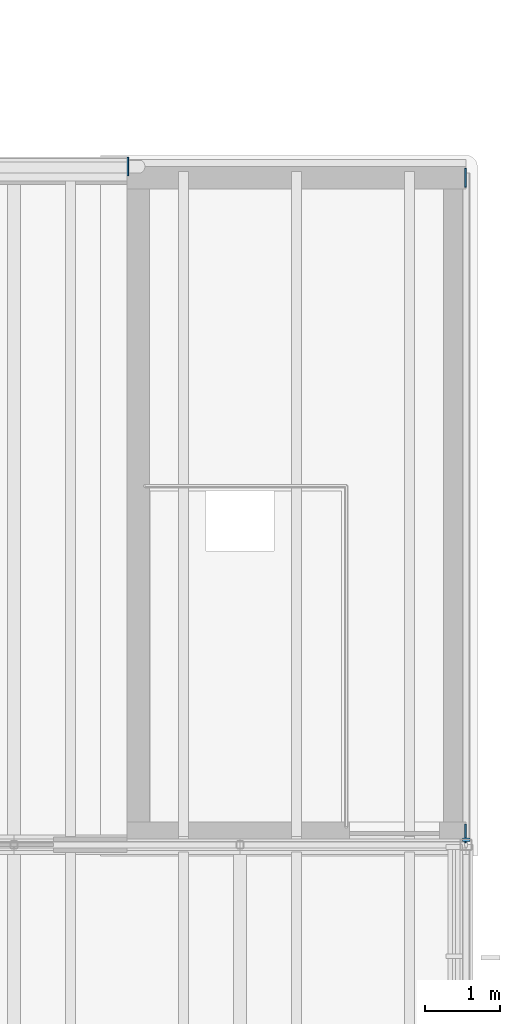
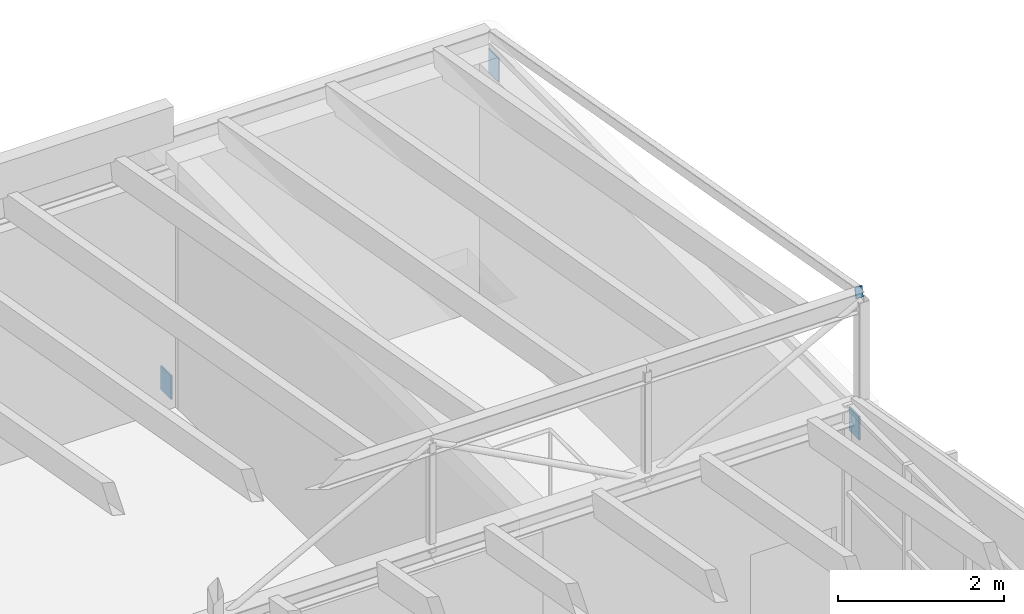
# One storey, part 40 of 44: 4 discrete accessories.
"""IFC4 building model written with IfcOpenShell, lengths in metres."""

from ifc_helpers import new_model, si_unit, direction, frame, origin, origin_2d, place, context, subcontext, project, spatial, rectangle, extrude, element, save


model = new_model("IFC4")

# Units and contexts
model_context = context("Model", 3, precision=1e-05, world=origin(), true_north=direction((0.0, 1.0)))
body_context = subcontext(model_context, "Body", "Model", "MODEL_VIEW")
ifc_project = project(units=[si_unit("LENGTHUNIT", "METRE"), si_unit("AREAUNIT", "SQUARE_METRE"), si_unit("VOLUMEUNIT", "CUBIC_METRE"), si_unit("PLANEANGLEUNIT", "RADIAN"), si_unit("MASSUNIT", "GRAM", prefix="KILO")], contexts=[model_context])

# Site, building, storey
site_placement = place(None, origin())
site = spatial("IfcSite", under=ifc_project, at=site_placement, CompositionType="ELEMENT")
building_placement = place(site_placement, origin())
building = spatial("IfcBuilding", under=site, at=building_placement, Name="Halyard Row Museum", CompositionType="ELEMENT")
storey_placement = place(building_placement, frame((0.0, 0.0, 21.199951171875)))
storey = spatial("IfcBuildingStorey", under=building, at=storey_placement, Name="L04", CompositionType="ELEMENT", Elevation=21.199951171875)

# Discrete accessories
discrete_accessory_placement = place(storey_placement, frame((108.0, 27.074951171875, 5.390625), z_axis=(0.0, -0.985030467156, 0.172380331752), x_axis=(1.0, 0.0, 0.0)))
element("IfcDiscreteAccessory", 1, at=discrete_accessory_placement, inside=storey, Name="V2-GE4 raking rafter end plate", PredefinedType="BRACKET", context=body_context, shape_type="SweptSolid", body=[
    extrude(rectangle(XDim=0.10009765625, YDim=0.14990234375, at=origin_2d()), origin(), (0.0, 0.0, 1.0), 0.019775390625),
])
for number, where, z_axis, x_axis, name in (
    (2, (103.5, 36.0, 0.215087890625), (1.0, 0.0, 0.0), (0.0, 1.0, 0.0), "Brace L04 Y36 99-103.5 B cast-in plate"),
    (3, (108.0, 27.14990234375, 3.4130859375), (-1.0, 0.0, 0.0), (0.0, -1.0, 0.0), "V2-GE3 raking rafter cast-in plate"),
    (4, (108.0, 35.85009765625, 3.4130859375), (-1.0, 0.0, 0.0), (0.0, -1.0, 0.0), "V2-GE4 raking rafter cast-in plate"),
):
    element("IfcDiscreteAccessory", number, at=place(storey_placement, frame(where, z_axis=z_axis, x_axis=x_axis)), inside=storey, Name=name, PredefinedType="ANCHORPLATE", context=body_context, shape_type="SweptSolid", body=[
        extrude(rectangle(XDim=0.25, YDim=0.35009765625, at=origin_2d()), origin(), (0.0, 0.0, 1.0), 0.02001953125),
    ])

save(model, "model.ifc")
